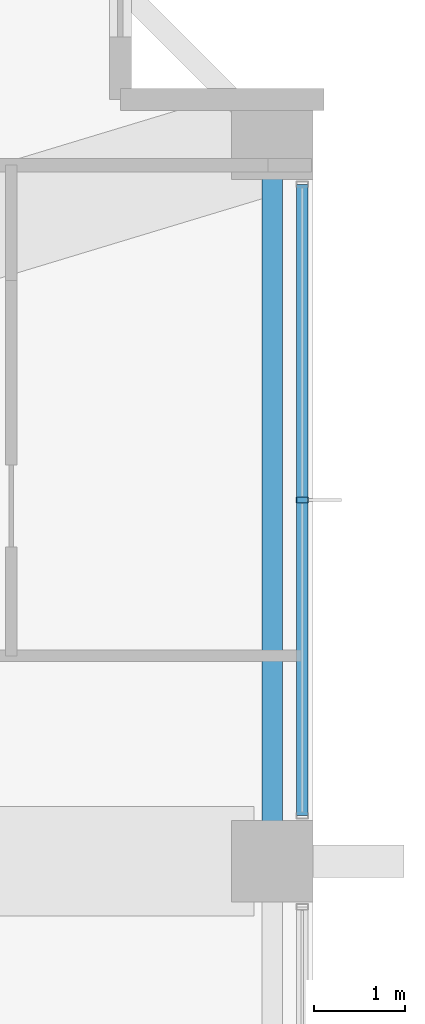
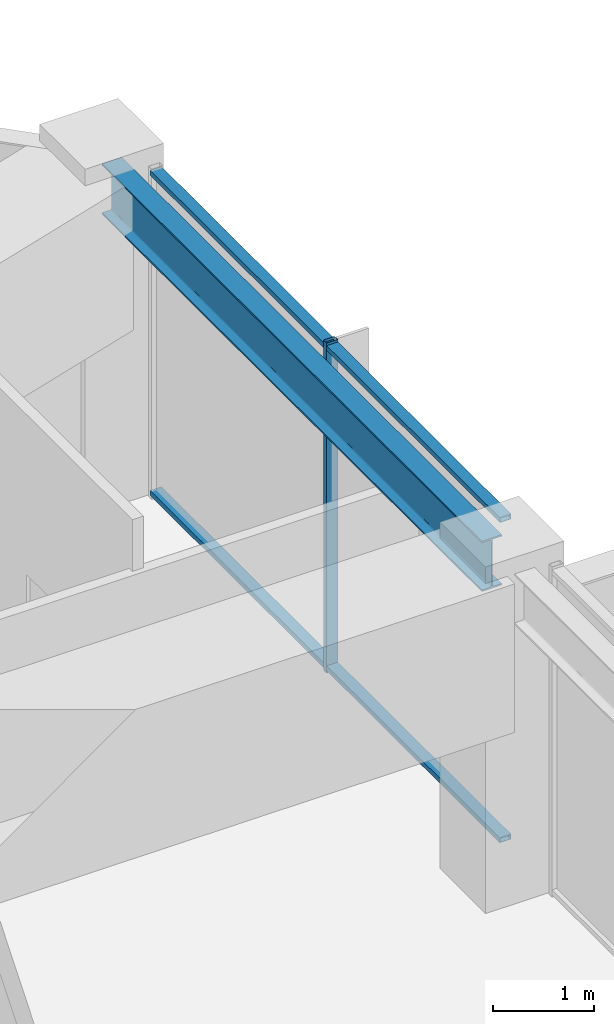
# One storey, part 14 of 33: 3 members, 1 beam, 1 element without a shape of its own.
"""IFC4 building model written with IfcOpenShell, lengths in metres."""

from ifc_helpers import new_model, si_unit, direction, frame, origin, origin_2d, place, context, subcontext, project, spatial, hollow_rectangle, i_section, extrude, material, material_profile, profile_set, type_object, element, aggregate, save


model = new_model("IFC4")

# Units and contexts
model_context = context("Model", 3, precision=1e-05, world=origin(), true_north=direction((0.0, 1.0)))
body_context = subcontext(model_context, "Body", "Model", "MODEL_VIEW")
ifc_project = project(units=[si_unit("LENGTHUNIT", "METRE"), si_unit("AREAUNIT", "SQUARE_METRE"), si_unit("VOLUMEUNIT", "CUBIC_METRE"), si_unit("PLANEANGLEUNIT", "RADIAN"), si_unit("MASSUNIT", "GRAM", prefix="KILO")], contexts=[model_context])

# Site, building, storey
site_placement = place(None, origin())
site = spatial("IfcSite", under=ifc_project, at=site_placement, CompositionType="ELEMENT")
building_placement = place(site_placement, origin())
building = spatial("IfcBuilding", under=site, at=building_placement, Name="Kolvaren Belvedere", CompositionType="ELEMENT")
storey_placement = place(building_placement, frame((0.0, 0.0, 152.699951171875)))
storey = spatial("IfcBuildingStorey", under=building, at=storey_placement, Name="L44", CompositionType="ELEMENT", Elevation=152.699951171875)

# Beam
ifc_material_1 = material(Name="Structural steel ASTM A992 Grade 50", Category="steel")
ifc_material_profile_1 = material_profile(ifc_material_1, i_section(OverallWidth=0.22900390625, OverallDepth=0.612060546875, WebThickness=0.011962890625, FlangeThickness=0.01953125, FilletRadius=0.01806640625, at=origin_2d()), Name="W24X84")
ifc_profile_set_1 = profile_set([ifc_material_profile_1], Name="Structural steel ASTM A992 Grade 50")
beam_type = type_object("IfcBeamType", Name="BM-SPAN-W24X84", PredefinedType="SPANDREL", material=ifc_profile_set_1)
beam_placement = place(storey_placement, frame((18.64990234375, 4.802490234375, 3.694091796875), z_axis=(0.0, 1.0, 0.0), x_axis=(-1.0, 0.0, 0.0)))
element("IfcBeam", 1, at=beam_placement, inside=storey, type_object=beam_type, Name="L44 Perimeter Spandrel E3-E4", PredefinedType="SPANDREL", context=body_context, shape_type="SweptSolid", body=[
    extrude(i_section(OverallWidth=0.22900390625, OverallDepth=0.612060546875, WebThickness=0.011962890625, FlangeThickness=0.01953125, FilletRadius=0.01806640625, at=origin_2d()), origin(), (0.0, 0.0, 1.0), 7.544921875),
])

# Curtain wall, members
ifc_material_2 = material(Name="Anodised pale-metal aluminium AA 6063-T6", Category="aluminium")
curtain_wall_type = type_object("IfcCurtainWallType", Name="CW-Z3-WAIST", PredefinedType="NOTDEFINED", material=ifc_material_2)
curtain_wall_placement = place(storey_placement, origin())
curtain_wall = element("IfcCurtainWall", 2, at=curtain_wall_placement, inside=storey, type_object=curtain_wall_type, Name="L44 Unitised Curtain Wall FCW-L44-E-B1", PredefinedType="NOTDEFINED")
ifc_material_3 = material(Name="Anodised pale-metal aluminium AA 6063-T6", Category="aluminium")
ifc_material_profile_2 = material_profile(ifc_material_3, hollow_rectangle(XDim=0.06494140625, YDim=0.1298828125, WallThickness=0.00390625, at=origin_2d()), Name="ALU-MUL-130X65")
ifc_profile_set_2 = profile_set([ifc_material_profile_2], Name="Anodised pale-metal aluminium AA 6063-T6")
member_type_1 = type_object("IfcMemberType", Name="CW-MUL-130", PredefinedType="MULLION", material=ifc_profile_set_2)
member_1_placement = place(storey_placement, frame((18.97998046875, 8.574951171875, 0.0), z_axis=(0.0, 0.0, 1.0), x_axis=(0.0, 1.0, 0.0)))
member_1 = element("IfcMember", 3, at=member_1_placement, type_object=member_type_1, Name="FCW-L44-E-B1 Unitised Mullion 2", PredefinedType="MULLION", context=body_context, shape_type="SweptSolid", body=[
    extrude(hollow_rectangle(XDim=0.06494140625, YDim=0.1298828125, WallThickness=0.00390625, at=origin_2d()), origin(), (0.0, 0.0, 1.0), 4.0),
])
ifc_material_4 = material(Name="Anodised pale-metal aluminium AA 6063-T6", Category="aluminium")
ifc_material_profile_3 = material_profile(ifc_material_4, hollow_rectangle(XDim=0.06005859375, YDim=0.1298828125, WallThickness=0.00390625, at=origin_2d()), Name="ALU-TRN-130X60")
ifc_profile_set_3 = profile_set([ifc_material_profile_3], Name="Anodised pale-metal aluminium AA 6063-T6")
member_type_2 = type_object("IfcMemberType", Name="CW-TRN-130", PredefinedType="USERDEFINED", material=ifc_profile_set_3)
member_2_placement = place(storey_placement, frame((18.97998046875, 12.047607421875, 0.06005859375), z_axis=(0.0, -1.0, 0.0), x_axis=(0.0, 0.0, 1.0)))
member_2 = element("IfcMember", 4, at=member_2_placement, type_object=member_type_2, Name="FCW-L44-E-B1 Sill Transom", ObjectType="TRANSOM", PredefinedType="USERDEFINED", context=body_context, shape_type="SweptSolid", body=[
    extrude(hollow_rectangle(XDim=0.06005859375, YDim=0.1298828125, WallThickness=0.00390625, at=origin_2d()), origin(), (0.0, 0.0, 1.0), 6.945068359375),
])
member_3_placement = place(storey_placement, frame((18.97998046875, 12.047607421875, 3.93994140625), z_axis=(0.0, -1.0, 0.0), x_axis=(0.0, 0.0, 1.0)))
member_3 = element("IfcMember", 5, at=member_3_placement, type_object=member_type_2, Name="FCW-L44-E-B1 Head Transom", ObjectType="TRANSOM", PredefinedType="USERDEFINED", context=body_context, shape_type="SweptSolid", body=[
    extrude(hollow_rectangle(XDim=0.06005859375, YDim=0.1298828125, WallThickness=0.00390625, at=origin_2d()), origin(), (0.0, 0.0, 1.0), 6.945068359375),
])
aggregate(curtain_wall, [member_1, member_2, member_3])

save(model, "model.ifc")
